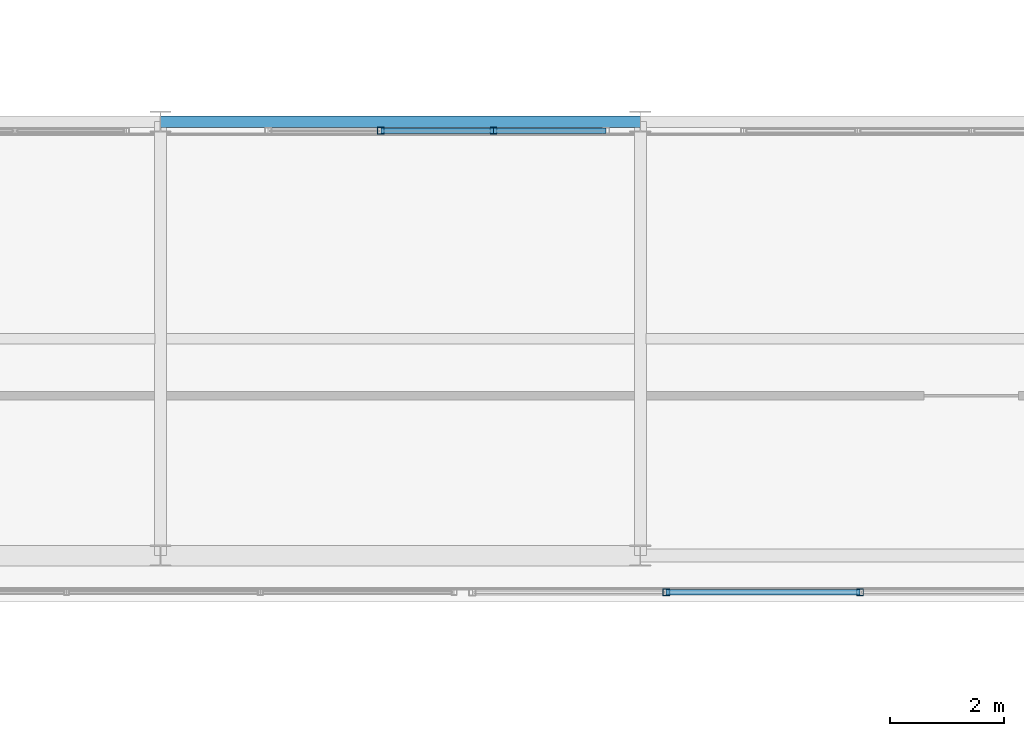
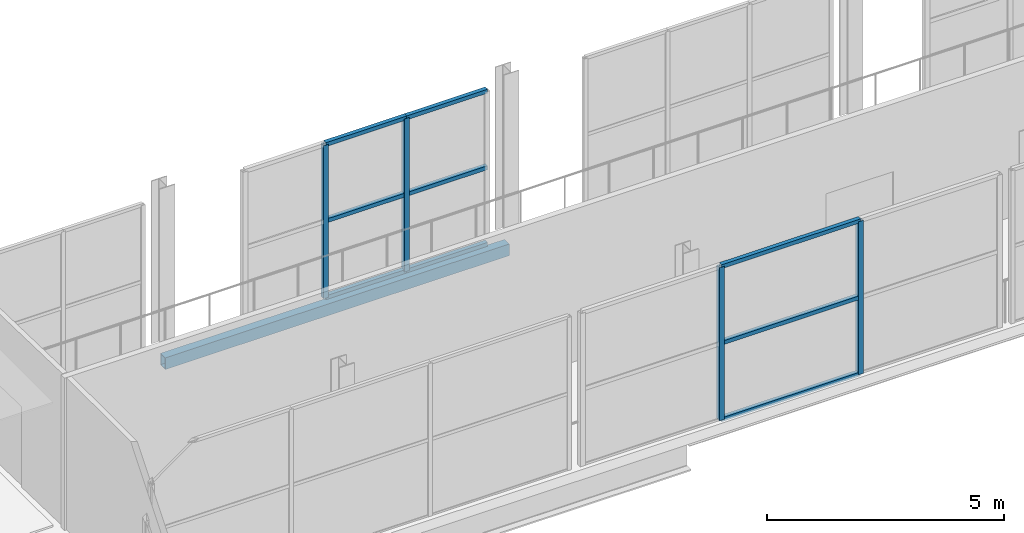
# One storey, part 58 of 217: 13 members, 1 beam, 2 elements without a shape of their own.
"""IFC4 building model written with IfcOpenShell, lengths in metres."""

import ifcopenshell
import ifcopenshell.guid

model = None  # the IFC model being written
_history = None  # IfcOwnerHistory: only IFC2X3 demands one
_inside = {}  # id of a spatial element -> (the spatial element, [elements in it])
_under = {}  # id of a project, library or spatial element -> (it, [spatial elements below it])
_declared = {}  # id of a project -> (the project, [libraries it declares])
_typed = {}  # id of a type object -> (the type object, [elements of that type])
_made_of = {}  # id of a material, layer set ... -> (it, [elements and type objects made of it])


def new_model(schema):
    """Start an empty IFC model of exactly this schema.

    Asked for "IFC4X3", IfcOpenShell would pick the latest addendum, in which some entities
    have other attributes; the version numbers below select the first issue.
    IFC2X3 requires an IfcOwnerHistory on every rooted entity: one is made here for all.
    """
    global model, _history
    if schema == "IFC4X3":
        model = ifcopenshell.file(schema_version=(4, 3, 0, 0))
    else:
        model = ifcopenshell.file(schema=schema)
    _inside.clear()
    _under.clear()
    _declared.clear()
    _typed.clear()
    _made_of.clear()
    _history = None
    if model.schema == "IFC2X3":
        org = make("IfcOrganization", Name="unknown")
        user = make(
            "IfcPersonAndOrganization",
            ThePerson=make("IfcPerson", FamilyName="unknown"),
            TheOrganization=org,
        )
        app = make(
            "IfcApplication",
            ApplicationDeveloper=org,
            Version="unknown",
            ApplicationFullName="unknown",
            ApplicationIdentifier="unknown",
        )
        _history = make(
            "IfcOwnerHistory",
            OwningUser=user,
            OwningApplication=app,
            ChangeAction="ADDED",
            CreationDate=0,
        )
    return model


def make(cls, **values):
    """One entity of the class cls with the attributes given. An attribute that is None is left unset."""
    return model.create_entity(
        cls, **{name: value for name, value in values.items() if value is not None}
    )


def rooted(cls, **values):
    """An entity with a GlobalId (a new one), such as an element, a storey or a relation."""
    return make(cls, GlobalId=ifcopenshell.guid.new(), OwnerHistory=_history, **values)


def si_unit(unit_type, name, prefix=None):
    """IfcSIUnit, for example si_unit("LENGTHUNIT", "METRE", prefix="MILLI")."""
    return make("IfcSIUnit", UnitType=unit_type, Prefix=prefix, Name=name)


def assignment(units):
    """IfcUnitAssignment: the units of a project."""
    return None if units is None else make("IfcUnitAssignment", Units=units)


def point(xyz):
    """IfcCartesianPoint."""
    return None if xyz is None else make("IfcCartesianPoint", Coordinates=xyz)


def direction(xyz):
    """IfcDirection."""
    return None if xyz is None else make("IfcDirection", DirectionRatios=xyz)


def frame(location, z_axis=None, x_axis=None):
    """IfcAxis2Placement3D, a coordinate frame: its origin and axes. An axis left out is left unset."""
    return make(
        "IfcAxis2Placement3D",
        Location=point(location),
        Axis=direction(z_axis),
        RefDirection=direction(x_axis),
    )


def frame_2d(location, x_axis=None):
    """IfcAxis2Placement2D, a coordinate frame in the plane: its origin and x axis."""
    return make(
        "IfcAxis2Placement2D", Location=point(location), RefDirection=direction(x_axis)
    )


def origin():
    """The frame at (0, 0, 0) with its axes left unset."""
    return frame((0.0, 0.0, 0.0))


def origin_2d():
    """The frame at (0, 0) in the plane with its x axis left unset."""
    return frame_2d((0.0, 0.0))


def place(relative_to, where):
    """IfcLocalPlacement: puts the frame where relative to a parent placement (None: the world)."""
    return make(
        "IfcLocalPlacement", PlacementRelTo=relative_to, RelativePlacement=where
    )


def context(
    kind, dimensions, precision=None, world=None, true_north=None, identifier=None
):
    """IfcGeometricRepresentationContext, for example the 3D "Model" context."""
    return make(
        "IfcGeometricRepresentationContext",
        ContextIdentifier=identifier,
        ContextType=kind,
        CoordinateSpaceDimension=dimensions,
        Precision=precision,
        WorldCoordinateSystem=world,
        TrueNorth=true_north,
    )


def subcontext(parent, identifier, kind, view, scale=None):
    """IfcGeometricRepresentationSubContext, for example "Body" below "Model"."""
    return make(
        "IfcGeometricRepresentationSubContext",
        ContextIdentifier=identifier,
        ContextType=kind,
        ParentContext=parent,
        TargetScale=scale,
        TargetView=view,
    )


def project(units=None, contexts=None):
    """IfcProject with its units and contexts."""
    return rooted(
        "IfcProject",
        Name="project",
        RepresentationContexts=contexts,
        UnitsInContext=assignment(units),
    )


def spatial(cls, under=None, at=None, **own):
    """A site, building, storey or space (cls), placed at a placement, below another one or the project."""
    s = rooted(cls, ObjectPlacement=at, **own)
    if under is not None:
        _under.setdefault(under.id(), (under, []))[1].append(s)
    return s


def profile(cls, at=None, kind="AREA", **sizes):
    """A parametric profile (cls). Its sizes go by their IFC names, for example OverallWidth=200.0."""
    return make(cls, ProfileType=kind, Position=at, **sizes)


def hollow_rectangle(**sizes):
    """IfcRectangleHollowProfileDef."""
    return profile("IfcRectangleHollowProfileDef", **sizes)


def extrude(swept, where, along, depth):
    """IfcExtrudedAreaSolid: the profile swept, set in the frame where, extruded along a direction by depth."""
    return make(
        "IfcExtrudedAreaSolid",
        SweptArea=swept,
        Position=where,
        ExtrudedDirection=direction(along),
        Depth=depth,
    )


def shape(context_of_items, identifier, shape_type, items):
    """IfcShapeRepresentation: the items that make up one representation, for example the "Body"."""
    return make(
        "IfcShapeRepresentation",
        ContextOfItems=context_of_items,
        RepresentationIdentifier=identifier,
        RepresentationType=shape_type,
        Items=items,
    )


def material(Name=None, Category=None):
    """IfcMaterial."""
    return make("IfcMaterial", Name=Name, Category=Category)


def material_profile(
    of_material, cross_section, Name=None, Category=None, Priority=None
):
    """IfcMaterialProfile: a cross section and its material."""
    return make(
        "IfcMaterialProfile",
        Name=Name,
        Material=of_material,
        Profile=cross_section,
        Priority=Priority,
        Category=Category,
    )


def profile_set(profiles, Name=None, composite=None):
    """IfcMaterialProfileSet."""
    return make(
        "IfcMaterialProfileSet",
        Name=Name,
        MaterialProfiles=profiles,
        CompositeProfile=composite,
    )


def made_of(thing, what):
    """Note that an element or type object is made of a material, layer set ...; save() writes the relation."""
    if what is not None:
        _made_of.setdefault(what.id(), (what, []))[1].append(thing)
    return thing


def type_object(cls, material=None, **own):
    """A type object (cls), such as IfcWallType, which elements share."""
    return made_of(rooted(cls, **own), material)


def element(
    cls,
    number,
    at=None,
    inside=None,
    cuts=None,
    type_object=None,
    material=None,
    context=None,
    identifier="Body",
    shape_type=None,
    held_by="IfcProductDefinitionShape",
    body=None,
    shapes=None,
    **own,
):
    """One element of the class cls, such as IfcWall. Its Tag is "e" and its number.

    at: its placement. inside: the storey or other place that contains it. cuts: it is an
    opening in that element (IfcRelVoidsElement). A single representation is given by context,
    identifier, shape_type and body (its items); several are given by shapes. held_by: the class
    of the entity that holds the representations. save() writes the other relations.
    """
    e = rooted(cls, Tag="e%d" % number, ObjectPlacement=at, **own)
    if body is not None:
        shapes = [shape(context, identifier, shape_type, body)]
    if shapes is not None:
        e.Representation = make(held_by, Representations=shapes)
    if inside is not None:
        _inside.setdefault(inside.id(), (inside, []))[1].append(e)
    if cuts is not None:
        rooted(
            "IfcRelVoidsElement", RelatingBuildingElement=cuts, RelatedOpeningElement=e
        )
    if type_object is not None:
        _typed.setdefault(type_object.id(), (type_object, []))[1].append(e)
    return made_of(e, material)


def aggregate(whole, parts):
    """IfcRelAggregates: a whole, such as a stair, and the parts it consists of."""
    return rooted("IfcRelAggregates", RelatingObject=whole, RelatedObjects=parts)


def save(model, path):
    """Write the relations noted so far, then the file.

    IfcRelAggregates (storeys below a building ...), IfcRelContainedInSpatialStructure (elements
    in a storey), IfcRelDefinesByType, IfcRelAssociatesMaterial and IfcRelDeclares: one each for
    every whole, place, type object, material and project.
    """
    for whole, parts in _under.values():
        aggregate(whole, parts)
    for where, things in _inside.values():
        rooted(
            "IfcRelContainedInSpatialStructure",
            RelatedElements=things,
            RelatingStructure=where,
        )
    for kind, things in _typed.values():
        rooted("IfcRelDefinesByType", RelatedObjects=things, RelatingType=kind)
    for what, things in _made_of.values():
        rooted("IfcRelAssociatesMaterial", RelatedObjects=things, RelatingMaterial=what)
    for by, libraries in _declared.values():
        rooted("IfcRelDeclares", RelatingContext=by, RelatedDefinitions=libraries)
    model.write(path)


model = new_model("IFC4")

# Units and contexts
model_context = context("Model", 3, precision=1e-05, world=origin(), true_north=direction((0.0, 1.0)))
body_context = subcontext(model_context, "Body", "Model", "MODEL_VIEW")
ifc_project = project(units=[si_unit("LENGTHUNIT", "METRE"), si_unit("AREAUNIT", "SQUARE_METRE"), si_unit("VOLUMEUNIT", "CUBIC_METRE"), si_unit("PLANEANGLEUNIT", "RADIAN"), si_unit("MASSUNIT", "GRAM", prefix="KILO")], contexts=[model_context])

# Site, building, storey
site_placement = place(None, origin())
site = spatial("IfcSite", under=ifc_project, at=site_placement, CompositionType="ELEMENT")
building_placement = place(site_placement, origin())
building = spatial("IfcBuilding", under=site, at=building_placement, Name="Zuvorla Pavilion Media Centre", CompositionType="ELEMENT")
storey_placement = place(building_placement, frame((0.0, 0.0, 9.60009765625)))
storey = spatial("IfcBuildingStorey", under=building, at=storey_placement, Name="L02", CompositionType="ELEMENT", Elevation=9.60009765625)

# Beam
ifc_material_1 = material(Name="Steel S355", Category="steel")
ifc_material_profile_1 = material_profile(ifc_material_1, hollow_rectangle(XDim=0.199951171875, YDim=0.300048828125, WallThickness=0.012451171875, at=origin_2d()), Name="RHS 300x200x12.5")
ifc_profile_set_1 = profile_set([ifc_material_profile_1], Name="Steel S355")
beam_type = type_object("IfcBeamType", Name="BM-SP-RHS300", PredefinedType="SPANDREL", material=ifc_profile_set_1)
beam_placement = place(storey_placement, frame((33.199951171875, 89.60009765625, -0.418212890625), z_axis=(1.0, 0.0, 0.0), x_axis=(0.0, 1.0, 0.0)))
element("IfcBeam", 1, at=beam_placement, inside=storey, type_object=beam_type, Name="L02 spandrel SP01 877", PredefinedType="SPANDREL", context=body_context, shape_type="SweptSolid", body=[
    extrude(hollow_rectangle(XDim=0.199951171875, YDim=0.300048828125, WallThickness=0.012451171875, at=origin_2d()), origin(), (0.0, 0.0, 1.0), 8.400146484375),
])

# Curtain wall, members
ifc_material_2 = material(Name="Unitised anodised aluminium and solar glass curtain wall", Category="aluminium")
curtain_wall_type_1 = type_object("IfcCurtainWallType", Name="CW-SYS-17", PredefinedType="USERDEFINED", material=ifc_material_2)
curtain_wall_1_placement = place(storey_placement, origin())
curtain_wall_1 = element("IfcCurtainWall", 2, at=curtain_wall_1_placement, inside=storey, type_object=curtain_wall_type_1, Name="L02 curtain wall CW17 25", ObjectType="CURTAIN WALL", PredefinedType="USERDEFINED")
ifc_material_3 = material(Name="Anodised aluminium 6063-T6", Category="aluminium")
ifc_material_profile_2 = material_profile(ifc_material_3, hollow_rectangle(XDim=0.1201171875, YDim=0.1201171875, WallThickness=0.0048828125, at=origin_2d()), Name="ALU MULL 120x120")
ifc_profile_set_2 = profile_set([ifc_material_profile_2], Name="Anodised aluminium 6063-T6")
member_type_1 = type_object("IfcMemberType", Name="CW-MULL-120", PredefinedType="MULLION", material=ifc_profile_set_2)
member_1_placement = place(storey_placement, frame((39.0283203125, 89.43994140625, 0.0), z_axis=(0.0, 0.0, 1.0), x_axis=(1.0, 0.0, 0.0)))
member_1 = element("IfcMember", 3, at=member_1_placement, type_object=member_type_1, Name="CW17 mullion 2", PredefinedType="MULLION", context=body_context, shape_type="SweptSolid", body=[
    extrude(hollow_rectangle(XDim=0.1201171875, YDim=0.1201171875, WallThickness=0.0048828125, at=origin_2d()), origin(), (0.0, 0.0, 1.0), 3.949951171875),
])
member_2_placement = place(storey_placement, frame((37.056640625, 89.43994140625, 0.0), z_axis=(0.0, 0.0, 1.0), x_axis=(1.0, 0.0, 0.0)))
member_2 = element("IfcMember", 4, at=member_2_placement, type_object=member_type_1, Name="CW17 mullion 3", PredefinedType="MULLION", context=body_context, shape_type="SweptSolid", body=[
    extrude(hollow_rectangle(XDim=0.1201171875, YDim=0.1201171875, WallThickness=0.0048828125, at=origin_2d()), origin(), (0.0, 0.0, 1.0), 3.949951171875),
])

curtain_wall_type_2 = type_object("IfcCurtainWallType", Name="CW-SYS-33", PredefinedType="USERDEFINED", material=ifc_material_2)
curtain_wall_2_placement = place(storey_placement, origin())
curtain_wall_2 = element("IfcCurtainWall", 5, at=curtain_wall_2_placement, inside=storey, type_object=curtain_wall_type_2, Name="L02 curtain wall CW33 54", ObjectType="CURTAIN WALL", PredefinedType="USERDEFINED")
member_3_placement = place(storey_placement, frame((45.44677734375, 81.360107421875, 0.0), z_axis=(0.0, 0.0, 1.0), x_axis=(1.0, 0.0, 0.0)))
member_3 = element("IfcMember", 6, at=member_3_placement, type_object=member_type_1, Name="CW33 mullion 2", PredefinedType="MULLION", context=body_context, shape_type="SweptSolid", body=[
    extrude(hollow_rectangle(XDim=0.1201171875, YDim=0.1201171875, WallThickness=0.0048828125, at=origin_2d()), origin(), (0.0, 0.0, 1.0), 3.949951171875),
])
member_4_placement = place(storey_placement, frame((42.05322265625, 81.360107421875, 0.0), z_axis=(0.0, 0.0, 1.0), x_axis=(1.0, 0.0, 0.0)))
member_4 = element("IfcMember", 7, at=member_4_placement, type_object=member_type_1, Name="CW33 mullion 3", PredefinedType="MULLION", context=body_context, shape_type="SweptSolid", body=[
    extrude(hollow_rectangle(XDim=0.1201171875, YDim=0.1201171875, WallThickness=0.0048828125, at=origin_2d()), origin(), (0.0, 0.0, 1.0), 3.949951171875),
])

# Member
ifc_material_profile_3 = material_profile(ifc_material_3, hollow_rectangle(XDim=0.10009765625, YDim=0.10009765625, WallThickness=0.00439453125, at=origin_2d()), Name="ALU TRAN 100x100")
ifc_profile_set_3 = profile_set([ifc_material_profile_3], Name="Anodised aluminium 6063-T6")
member_type_2 = type_object("IfcMemberType", Name="CW-TRAN-100", PredefinedType="USERDEFINED", material=ifc_profile_set_3)
member_5_placement = place(storey_placement, frame((40.999755859375, 89.43994140625, 0.0), z_axis=(-1.0, 0.0, 0.0), x_axis=(0.0, -1.0, 0.0)))
member_5 = element("IfcMember", 8, at=member_5_placement, type_object=member_type_2, Name="CW17 transom 1.1", ObjectType="TRANSOM", PredefinedType="USERDEFINED", context=body_context, shape_type="SweptSolid", body=[
    extrude(hollow_rectangle(XDim=0.10009765625, YDim=0.10009765625, WallThickness=0.00439453125, at=origin_2d()), origin(), (0.0, 0.0, 1.0), 1.971435546875),
])

member_6_placement = place(storey_placement, frame((40.999755859375, 89.43994140625, 1.974853515625), z_axis=(-1.0, 0.0, 0.0), x_axis=(0.0, -1.0, 0.0)))
member_6 = element("IfcMember", 9, at=member_6_placement, type_object=member_type_2, Name="CW17 transom 1.2", ObjectType="TRANSOM", PredefinedType="USERDEFINED", context=body_context, shape_type="SweptSolid", body=[
    extrude(hollow_rectangle(XDim=0.10009765625, YDim=0.10009765625, WallThickness=0.00439453125, at=origin_2d()), origin(), (0.0, 0.0, 1.0), 1.971435546875),
])

member_7_placement = place(storey_placement, frame((40.999755859375, 89.43994140625, 3.949951171875), z_axis=(-1.0, 0.0, 0.0), x_axis=(0.0, -1.0, 0.0)))
member_7 = element("IfcMember", 10, at=member_7_placement, type_object=member_type_2, Name="CW17 transom 1.3", ObjectType="TRANSOM", PredefinedType="USERDEFINED", context=body_context, shape_type="SweptSolid", body=[
    extrude(hollow_rectangle(XDim=0.10009765625, YDim=0.10009765625, WallThickness=0.00439453125, at=origin_2d()), origin(), (0.0, 0.0, 1.0), 1.971435546875),
])

member_8_placement = place(storey_placement, frame((39.0283203125, 89.43994140625, 0.0), z_axis=(-1.0, 0.0, 0.0), x_axis=(0.0, -1.0, 0.0)))
member_8 = element("IfcMember", 11, at=member_8_placement, type_object=member_type_2, Name="CW17 transom 2.1", ObjectType="TRANSOM", PredefinedType="USERDEFINED", context=body_context, shape_type="SweptSolid", body=[
    extrude(hollow_rectangle(XDim=0.10009765625, YDim=0.10009765625, WallThickness=0.00439453125, at=origin_2d()), origin(), (0.0, 0.0, 1.0), 1.9716796875),
])

member_9_placement = place(storey_placement, frame((39.0283203125, 89.43994140625, 1.974853515625), z_axis=(-1.0, 0.0, 0.0), x_axis=(0.0, -1.0, 0.0)))
member_9 = element("IfcMember", 12, at=member_9_placement, type_object=member_type_2, Name="CW17 transom 2.2", ObjectType="TRANSOM", PredefinedType="USERDEFINED", context=body_context, shape_type="SweptSolid", body=[
    extrude(hollow_rectangle(XDim=0.10009765625, YDim=0.10009765625, WallThickness=0.00439453125, at=origin_2d()), origin(), (0.0, 0.0, 1.0), 1.9716796875),
])

member_10_placement = place(storey_placement, frame((39.0283203125, 89.43994140625, 3.949951171875), z_axis=(-1.0, 0.0, 0.0), x_axis=(0.0, -1.0, 0.0)))
member_10 = element("IfcMember", 13, at=member_10_placement, type_object=member_type_2, Name="CW17 transom 2.3", ObjectType="TRANSOM", PredefinedType="USERDEFINED", context=body_context, shape_type="SweptSolid", body=[
    extrude(hollow_rectangle(XDim=0.10009765625, YDim=0.10009765625, WallThickness=0.00439453125, at=origin_2d()), origin(), (0.0, 0.0, 1.0), 1.9716796875),
])

aggregate(curtain_wall_1, [member_1, member_2, member_5, member_6, member_7, member_8, member_9, member_10])

member_11_placement = place(storey_placement, frame((45.44677734375, 81.360107421875, 0.0), z_axis=(-1.0, 0.0, 0.0), x_axis=(0.0, -1.0, 0.0)))
member_11 = element("IfcMember", 14, at=member_11_placement, type_object=member_type_2, Name="CW33 transom 2.1", ObjectType="TRANSOM", PredefinedType="USERDEFINED", context=body_context, shape_type="SweptSolid", body=[
    extrude(hollow_rectangle(XDim=0.10009765625, YDim=0.10009765625, WallThickness=0.00439453125, at=origin_2d()), origin(), (0.0, 0.0, 1.0), 3.3935546875),
])

member_12_placement = place(storey_placement, frame((45.44677734375, 81.360107421875, 1.974853515625), z_axis=(-1.0, 0.0, 0.0), x_axis=(0.0, -1.0, 0.0)))
member_12 = element("IfcMember", 15, at=member_12_placement, type_object=member_type_2, Name="CW33 transom 2.2", ObjectType="TRANSOM", PredefinedType="USERDEFINED", context=body_context, shape_type="SweptSolid", body=[
    extrude(hollow_rectangle(XDim=0.10009765625, YDim=0.10009765625, WallThickness=0.00439453125, at=origin_2d()), origin(), (0.0, 0.0, 1.0), 3.3935546875),
])

member_13_placement = place(storey_placement, frame((45.44677734375, 81.360107421875, 3.949951171875), z_axis=(-1.0, 0.0, 0.0), x_axis=(0.0, -1.0, 0.0)))
member_13 = element("IfcMember", 16, at=member_13_placement, type_object=member_type_2, Name="CW33 transom 2.3", ObjectType="TRANSOM", PredefinedType="USERDEFINED", context=body_context, shape_type="SweptSolid", body=[
    extrude(hollow_rectangle(XDim=0.10009765625, YDim=0.10009765625, WallThickness=0.00439453125, at=origin_2d()), origin(), (0.0, 0.0, 1.0), 3.3935546875),
])

aggregate(curtain_wall_2, [member_3, member_4, member_11, member_12, member_13])

save(model, "model.ifc")
